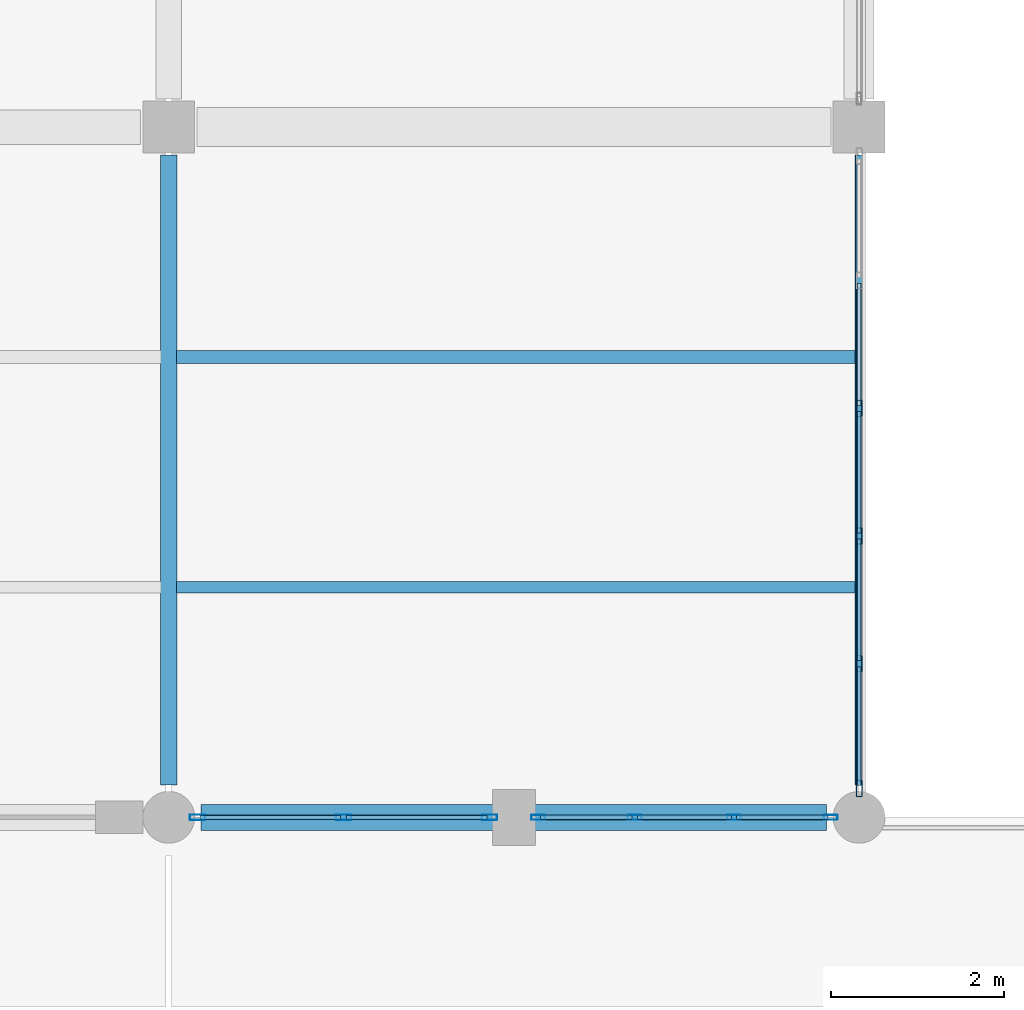
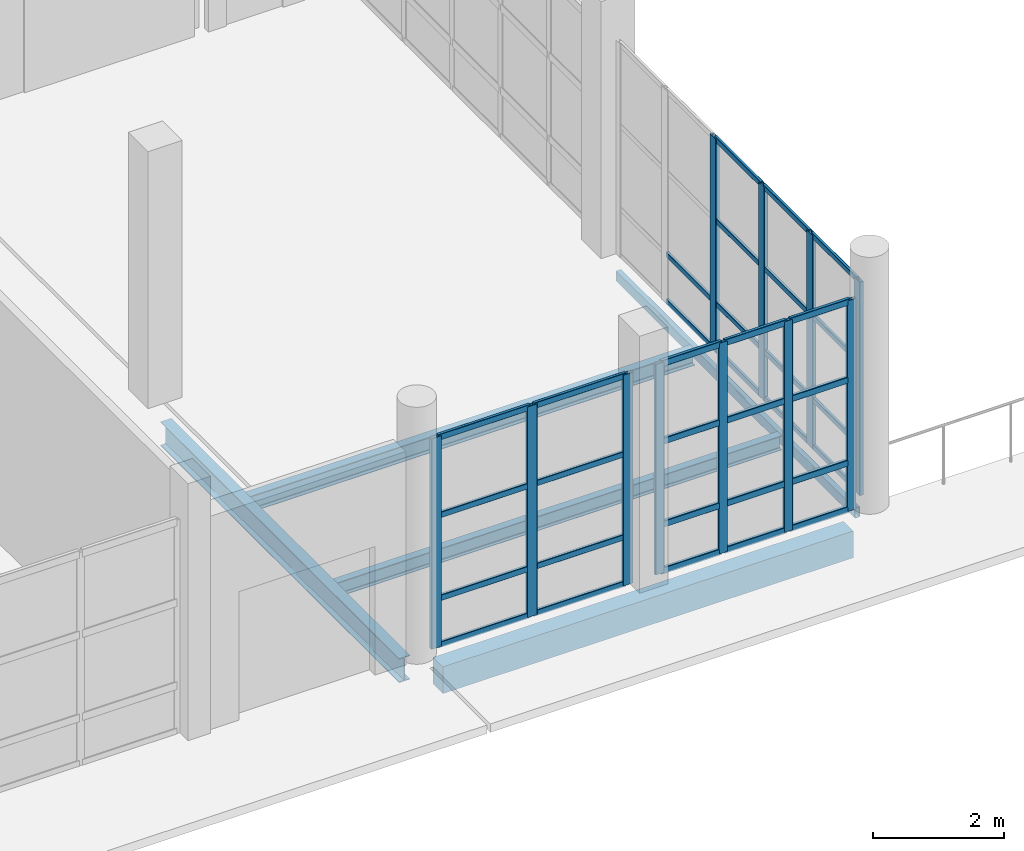
# One storey, part 20 of 156: 45 members, 5 beams, 3 elements without a shape of their own.
"""IFC4 building model written with IfcOpenShell, lengths in metres."""

from ifc_helpers import new_model, si_unit, direction, frame, origin, origin_2d, place, context, subcontext, project, spatial, rectangle, hollow_rectangle, i_section, extrude, material, material_profile, profile_set, type_object, element, aggregate, save


model = new_model("IFC4")

# Units and contexts
model_context = context("Model", 3, precision=1e-05, world=origin(), true_north=direction((0.0, 1.0)))
body_context = subcontext(model_context, "Body", "Model", "MODEL_VIEW")
ifc_project = project(units=[si_unit("LENGTHUNIT", "METRE"), si_unit("AREAUNIT", "SQUARE_METRE"), si_unit("VOLUMEUNIT", "CUBIC_METRE"), si_unit("PLANEANGLEUNIT", "RADIAN"), si_unit("MASSUNIT", "GRAM", prefix="KILO")], contexts=[model_context])

# Site, building, storey
site_placement = place(None, origin())
site = spatial("IfcSite", under=ifc_project, at=site_placement, CompositionType="ELEMENT")
building_placement = place(site_placement, origin())
building = spatial("IfcBuilding", under=site, at=building_placement, Name="Luwemba Playhouse", CompositionType="ELEMENT")
storey_placement = place(building_placement, origin())
storey = spatial("IfcBuildingStorey", under=building, at=storey_placement, Name="L00", CompositionType="ELEMENT", Elevation=0.0)

# Beams
ifc_material_1 = material(Name="Steel S355", Category="steel")
ifc_material_profile_1 = material_profile(ifc_material_1, i_section(OverallWidth=0.18994140625, OverallDepth=0.449951171875, WebThickness=0.009521484375, FlangeThickness=0.0146484375, FilletRadius=0.02099609375, at=origin_2d()))
ifc_profile_set_1 = profile_set([ifc_material_profile_1], Name="Steel S355")
beam_type_1 = type_object("IfcBeamType", Name="BM-SB06", PredefinedType="BEAM", material=ifc_profile_set_1)
beam_1_placement = place(storey_placement, frame((52.0, 3.375, -0.52490234375), z_axis=(0.0, 1.0, 0.0), x_axis=(-1.0, 0.0, 0.0)))
element("IfcBeam", 1, at=beam_1_placement, inside=storey, type_object=beam_type_1, Name="L00 transverse girder 0196", PredefinedType="BEAM", context=body_context, shape_type="SweptSolid", body=[
    extrude(i_section(OverallWidth=0.18994140625, OverallDepth=0.449951171875, WebThickness=0.009521484375, FlangeThickness=0.0146484375, FilletRadius=0.02099609375, at=origin_2d()), origin(), (0.0, 0.0, 1.0), 7.300048828125),
])
ifc_material_profile_2 = material_profile(ifc_material_1, i_section(OverallWidth=0.135009765625, OverallDepth=0.27001953125, WebThickness=0.006591796875, FlangeThickness=0.01025390625, FilletRadius=0.014892578125, at=origin_2d()))
ifc_profile_set_2 = profile_set([ifc_material_profile_2], Name="Steel S355")
beam_type_2 = type_object("IfcBeamType", Name="BM-SJ04", PredefinedType="JOIST", material=ifc_profile_set_2)
beam_2_placement = place(storey_placement, frame((52.091064453125, 5.666748046875, -0.43505859375), z_axis=(1.0, 0.0, 0.0), x_axis=(0.0, 1.0, 0.0)))
element("IfcBeam", 2, at=beam_2_placement, inside=storey, type_object=beam_type_2, Name="L00 composite floor joist 0150", PredefinedType="JOIST", context=body_context, shape_type="SweptSolid", body=[
    extrude(i_section(OverallWidth=0.135009765625, OverallDepth=0.27001953125, WebThickness=0.006591796875, FlangeThickness=0.01025390625, FilletRadius=0.014892578125, at=origin_2d()), origin(), (0.0, 0.0, 1.0), 7.863037109375),
])
ifc_material_profile_3 = material_profile(ifc_material_1, i_section(OverallWidth=0.14990234375, OverallDepth=0.300048828125, WebThickness=0.007080078125, FlangeThickness=0.0107421875, FilletRadius=0.014892578125, at=origin_2d()))
ifc_profile_set_3 = profile_set([ifc_material_profile_3], Name="Steel S355")
beam_type_3 = type_object("IfcBeamType", Name="BM-SJ05", PredefinedType="JOIST", material=ifc_profile_set_3)
beam_3_placement = place(storey_placement, frame((52.091064453125, 8.333251953125, -0.449951171875), z_axis=(1.0, 0.0, 0.0), x_axis=(0.0, 1.0, 0.0)))
element("IfcBeam", 3, at=beam_3_placement, inside=storey, type_object=beam_type_3, Name="L00 composite floor joist 0151", PredefinedType="JOIST", context=body_context, shape_type="SweptSolid", body=[
    extrude(i_section(OverallWidth=0.14990234375, OverallDepth=0.300048828125, WebThickness=0.007080078125, FlangeThickness=0.0107421875, FilletRadius=0.014892578125, at=origin_2d()), origin(), (0.0, 0.0, 1.0), 7.863037109375),
])
ifc_material_2 = material(Name="Concrete C40/50", Category="concrete")
ifc_material_profile_4 = material_profile(ifc_material_2, rectangle(XDim=0.300048828125, YDim=0.5, at=origin_2d()))
ifc_profile_set_4 = profile_set([ifc_material_profile_4], Name="Concrete C40/50")
beam_type_4 = type_object("IfcBeamType", Name="BM-SP1", PredefinedType="SPANDREL", material=ifc_profile_set_4)
beam_4_placement = place(storey_placement, frame((52.375, 3.0, -0.550048828125), z_axis=(1.0, 0.0, 0.0), x_axis=(0.0, 1.0, 0.0)))
element("IfcBeam", 4, at=beam_4_placement, inside=storey, type_object=beam_type_4, Name="L00 grid girder 0156", PredefinedType="SPANDREL", context=body_context, shape_type="SweptSolid", body=[
    extrude(rectangle(XDim=0.300048828125, YDim=0.5, at=origin_2d()), origin(), (0.0, 0.0, 1.0), 7.25),
])
ifc_material_profile_5 = material_profile(ifc_material_1, hollow_rectangle(XDim=0.10009765625, YDim=0.199951171875, WallThickness=0.008056640625, InnerFilletRadius=0.011962890625, OuterFilletRadius=0.02001953125, at=origin_2d()))
ifc_profile_set_5 = profile_set([ifc_material_profile_5], Name="Steel S355")
beam_type_5 = type_object("IfcBeamType", Name="BM-SSP2", PredefinedType="SPANDREL", material=ifc_profile_set_5)
beam_5_placement = place(storey_placement, frame((60.0, 3.375, -0.39990234375), z_axis=(0.0, 1.0, 0.0), x_axis=(-1.0, 0.0, 0.0)))
element("IfcBeam", 5, at=beam_5_placement, inside=storey, type_object=beam_type_5, Name="L00 transverse girder 0199", PredefinedType="SPANDREL", context=body_context, shape_type="SweptSolid", body=[
    extrude(hollow_rectangle(XDim=0.10009765625, YDim=0.199951171875, WallThickness=0.008056640625, InnerFilletRadius=0.011962890625, OuterFilletRadius=0.02001953125, at=origin_2d()), origin(), (0.0, 0.0, 1.0), 7.300048828125),
])

# Curtain wall, members
ifc_material_3 = material(Name="Solar-control double glazing", Category="glass")
curtain_wall_type_1 = type_object("IfcCurtainWallType", Name="CW-CW39", PredefinedType="USERDEFINED", material=ifc_material_3)
curtain_wall_1_placement = place(storey_placement, origin())
curtain_wall_1 = element("IfcCurtainWall", 6, at=curtain_wall_1_placement, inside=storey, type_object=curtain_wall_type_1, Name="L00 V5W unitised curtain wall 043", ObjectType="UNITISED GLAZING", PredefinedType="USERDEFINED")
ifc_material_4 = material(Name="Aluminium 6063-T6", Category="aluminium")
ifc_material_profile_6 = material_profile(ifc_material_4, hollow_rectangle(XDim=0.06005859375, YDim=0.159912109375, WallThickness=0.00390625, InnerFilletRadius=0.006103515625, OuterFilletRadius=0.010009765625, at=origin_2d()))
ifc_profile_set_6 = profile_set([ifc_material_profile_6], Name="Aluminium 6063-T6")
member_type_1 = type_object("IfcMemberType", Name="CWM-M1", PredefinedType="MULLION", material=ifc_profile_set_6)
member_1_placement = place(storey_placement, frame((59.669921875, 3.0, 0.0), z_axis=(0.0, 0.0, 1.0), x_axis=(0.0, -1.0, 0.0)))
member_1 = element("IfcMember", 7, at=member_1_placement, type_object=member_type_1, Name="CW39 mullion 1", PredefinedType="MULLION", context=body_context, shape_type="SweptSolid", body=[
    extrude(hollow_rectangle(XDim=0.06005859375, YDim=0.159912109375, WallThickness=0.00390625, InnerFilletRadius=0.006103515625, OuterFilletRadius=0.010009765625, at=origin_2d()), origin(), (0.0, 0.0, 1.0), 3.93505859375),
])
member_2_placement = place(storey_placement, frame((58.550048828125, 3.0, 0.0), z_axis=(0.0, 0.0, 1.0), x_axis=(0.0, -1.0, 0.0)))
member_2 = element("IfcMember", 8, at=member_2_placement, type_object=member_type_1, Name="CW39 mullion 2", PredefinedType="MULLION", context=body_context, shape_type="SweptSolid", body=[
    extrude(hollow_rectangle(XDim=0.06005859375, YDim=0.159912109375, WallThickness=0.00390625, InnerFilletRadius=0.006103515625, OuterFilletRadius=0.010009765625, at=origin_2d()), origin(), (0.0, 0.0, 1.0), 3.93505859375),
])
member_3_placement = place(storey_placement, frame((57.39990234375, 3.0, 0.0), z_axis=(0.0, 0.0, 1.0), x_axis=(0.0, -1.0, 0.0)))
member_3 = element("IfcMember", 9, at=member_3_placement, type_object=member_type_1, Name="CW39 mullion 3", PredefinedType="MULLION", context=body_context, shape_type="SweptSolid", body=[
    extrude(hollow_rectangle(XDim=0.06005859375, YDim=0.159912109375, WallThickness=0.00390625, InnerFilletRadius=0.006103515625, OuterFilletRadius=0.010009765625, at=origin_2d()), origin(), (0.0, 0.0, 1.0), 3.93505859375),
])
member_4_placement = place(storey_placement, frame((56.280029296875, 3.0, 0.0), z_axis=(0.0, 0.0, 1.0), x_axis=(0.0, -1.0, 0.0)))
member_4 = element("IfcMember", 10, at=member_4_placement, type_object=member_type_1, Name="CW39 mullion 4", PredefinedType="MULLION", context=body_context, shape_type="SweptSolid", body=[
    extrude(hollow_rectangle(XDim=0.06005859375, YDim=0.159912109375, WallThickness=0.00390625, InnerFilletRadius=0.006103515625, OuterFilletRadius=0.010009765625, at=origin_2d()), origin(), (0.0, 0.0, 1.0), 3.93505859375),
])

curtain_wall_type_2 = type_object("IfcCurtainWallType", Name="CW-CW33", PredefinedType="USERDEFINED", material=ifc_material_3)
curtain_wall_2_placement = place(storey_placement, origin())
curtain_wall_2 = element("IfcCurtainWall", 11, at=curtain_wall_2_placement, inside=storey, type_object=curtain_wall_type_2, Name="L00 V5W unitised curtain wall 044", ObjectType="UNITISED GLAZING", PredefinedType="USERDEFINED")
ifc_material_profile_7 = material_profile(ifc_material_4, hollow_rectangle(XDim=0.06494140625, YDim=0.179931640625, WallThickness=0.00439453125, InnerFilletRadius=0.0068359375, OuterFilletRadius=0.01123046875, at=origin_2d()))
ifc_profile_set_7 = profile_set([ifc_material_profile_7], Name="Aluminium 6063-T6")
member_type_2 = type_object("IfcMemberType", Name="CWM-M2", PredefinedType="MULLION", material=ifc_profile_set_7)
member_5_placement = place(storey_placement, frame((55.717529296875, 3.0, 0.0), z_axis=(0.0, 0.0, 1.0), x_axis=(0.0, -1.0, 0.0)))
member_5 = element("IfcMember", 12, at=member_5_placement, type_object=member_type_2, Name="CW33 mullion 1", PredefinedType="MULLION", context=body_context, shape_type="SweptSolid", body=[
    extrude(hollow_rectangle(XDim=0.06494140625, YDim=0.179931640625, WallThickness=0.00439453125, InnerFilletRadius=0.0068359375, OuterFilletRadius=0.01123046875, at=origin_2d()), origin(), (0.0, 0.0, 1.0), 3.93505859375),
])
member_6_placement = place(storey_placement, frame((54.02490234375, 3.0, 0.0), z_axis=(0.0, 0.0, 1.0), x_axis=(0.0, -1.0, 0.0)))
member_6 = element("IfcMember", 13, at=member_6_placement, type_object=member_type_2, Name="CW33 mullion 2", PredefinedType="MULLION", context=body_context, shape_type="SweptSolid", body=[
    extrude(hollow_rectangle(XDim=0.06494140625, YDim=0.179931640625, WallThickness=0.00439453125, InnerFilletRadius=0.0068359375, OuterFilletRadius=0.01123046875, at=origin_2d()), origin(), (0.0, 0.0, 1.0), 3.93505859375),
])
member_7_placement = place(storey_placement, frame((52.33251953125, 3.0, 0.0), z_axis=(0.0, 0.0, 1.0), x_axis=(0.0, -1.0, 0.0)))
member_7 = element("IfcMember", 14, at=member_7_placement, type_object=member_type_2, Name="CW33 mullion 3", PredefinedType="MULLION", context=body_context, shape_type="SweptSolid", body=[
    extrude(hollow_rectangle(XDim=0.06494140625, YDim=0.179931640625, WallThickness=0.00439453125, InnerFilletRadius=0.0068359375, OuterFilletRadius=0.01123046875, at=origin_2d()), origin(), (0.0, 0.0, 1.0), 3.93505859375),
])

curtain_wall_type_3 = type_object("IfcCurtainWallType", Name="CW-CW38", PredefinedType="USERDEFINED", material=ifc_material_3)
curtain_wall_3_placement = place(storey_placement, origin())
curtain_wall_3 = element("IfcCurtainWall", 15, at=curtain_wall_3_placement, inside=storey, type_object=curtain_wall_type_3, Name="L00 V5W unitised curtain wall 042", ObjectType="UNITISED GLAZING", PredefinedType="USERDEFINED")
ifc_material_profile_8 = material_profile(ifc_material_4, hollow_rectangle(XDim=0.070068359375, YDim=0.18994140625, WallThickness=0.0048828125, InnerFilletRadius=0.007568359375, OuterFilletRadius=0.012451171875, at=origin_2d()))
ifc_profile_set_8 = profile_set([ifc_material_profile_8], Name="Aluminium 6063-T6")
member_type_3 = type_object("IfcMemberType", Name="CWM-M4", PredefinedType="MULLION", material=ifc_profile_set_8)
member_8_placement = place(storey_placement, frame((60.0, 7.739990234375, 0.0), z_axis=(0.0, 0.0, 1.0), x_axis=(1.0, 0.0, 0.0)))
member_8 = element("IfcMember", 16, at=member_8_placement, type_object=member_type_3, Name="CW38 mullion 3", PredefinedType="MULLION", context=body_context, shape_type="SweptSolid", body=[
    extrude(hollow_rectangle(XDim=0.070068359375, YDim=0.18994140625, WallThickness=0.0048828125, InnerFilletRadius=0.007568359375, OuterFilletRadius=0.012451171875, at=origin_2d()), origin(), (0.0, 0.0, 1.0), 3.985107421875),
])
member_9_placement = place(storey_placement, frame((60.0, 6.260009765625, 0.0), z_axis=(0.0, 0.0, 1.0), x_axis=(1.0, 0.0, 0.0)))
member_9 = element("IfcMember", 17, at=member_9_placement, type_object=member_type_3, Name="CW38 mullion 4", PredefinedType="MULLION", context=body_context, shape_type="SweptSolid", body=[
    extrude(hollow_rectangle(XDim=0.070068359375, YDim=0.18994140625, WallThickness=0.0048828125, InnerFilletRadius=0.007568359375, OuterFilletRadius=0.012451171875, at=origin_2d()), origin(), (0.0, 0.0, 1.0), 3.985107421875),
])
member_10_placement = place(storey_placement, frame((60.0, 4.780029296875, 0.0), z_axis=(0.0, 0.0, 1.0), x_axis=(1.0, 0.0, 0.0)))
member_10 = element("IfcMember", 18, at=member_10_placement, type_object=member_type_3, Name="CW38 mullion 5", PredefinedType="MULLION", context=body_context, shape_type="SweptSolid", body=[
    extrude(hollow_rectangle(XDim=0.070068359375, YDim=0.18994140625, WallThickness=0.0048828125, InnerFilletRadius=0.007568359375, OuterFilletRadius=0.012451171875, at=origin_2d()), origin(), (0.0, 0.0, 1.0), 3.985107421875),
])
member_11_placement = place(storey_placement, frame((60.0, 3.3349609375, 0.0), z_axis=(0.0, 0.0, 1.0), x_axis=(1.0, 0.0, 0.0)))
member_11 = element("IfcMember", 19, at=member_11_placement, type_object=member_type_3, Name="CW38 mullion 6", PredefinedType="MULLION", context=body_context, shape_type="SweptSolid", body=[
    extrude(hollow_rectangle(XDim=0.070068359375, YDim=0.18994140625, WallThickness=0.0048828125, InnerFilletRadius=0.007568359375, OuterFilletRadius=0.012451171875, at=origin_2d()), origin(), (0.0, 0.0, 1.0), 3.985107421875),
])

# Member
ifc_material_profile_9 = material_profile(ifc_material_4, hollow_rectangle(XDim=0.06005859375, YDim=0.1201171875, WallThickness=0.00390625, InnerFilletRadius=0.006103515625, OuterFilletRadius=0.010009765625, at=origin_2d()))
ifc_profile_set_9 = profile_set([ifc_material_profile_9], Name="Aluminium 6063-T6")
member_type_4 = type_object("IfcMemberType", Name="CWT-T1", PredefinedType="USERDEFINED", material=ifc_profile_set_9)
member_12_placement = place(storey_placement, frame((59.639892578125, 3.0, 0.030029296875), z_axis=(-1.0, 0.0, 0.0), x_axis=(0.0, -1.0, 0.0)))
member_12 = element("IfcMember", 20, at=member_12_placement, type_object=member_type_4, Name="CW39 transom 1.1", ObjectType="TRANSOM", PredefinedType="USERDEFINED", context=body_context, shape_type="SweptSolid", body=[
    extrude(hollow_rectangle(XDim=0.06005859375, YDim=0.1201171875, WallThickness=0.00390625, InnerFilletRadius=0.006103515625, OuterFilletRadius=0.010009765625, at=origin_2d()), origin(), (0.0, 0.0, 1.0), 1.059814453125),
])

member_13_placement = place(storey_placement, frame((59.639892578125, 3.0, 0.89990234375), z_axis=(-1.0, 0.0, 0.0), x_axis=(0.0, -1.0, 0.0)))
member_13 = element("IfcMember", 21, at=member_13_placement, type_object=member_type_4, Name="CW39 transom 1.2", ObjectType="TRANSOM", PredefinedType="USERDEFINED", context=body_context, shape_type="SweptSolid", body=[
    extrude(hollow_rectangle(XDim=0.06005859375, YDim=0.1201171875, WallThickness=0.00390625, InnerFilletRadius=0.006103515625, OuterFilletRadius=0.010009765625, at=origin_2d()), origin(), (0.0, 0.0, 1.0), 1.059814453125),
])

member_14_placement = place(storey_placement, frame((59.639892578125, 3.0, 2.449951171875), z_axis=(-1.0, 0.0, 0.0), x_axis=(0.0, -1.0, 0.0)))
member_14 = element("IfcMember", 22, at=member_14_placement, type_object=member_type_4, Name="CW39 transom 1.3", ObjectType="TRANSOM", PredefinedType="USERDEFINED", context=body_context, shape_type="SweptSolid", body=[
    extrude(hollow_rectangle(XDim=0.06005859375, YDim=0.1201171875, WallThickness=0.00390625, InnerFilletRadius=0.006103515625, OuterFilletRadius=0.010009765625, at=origin_2d()), origin(), (0.0, 0.0, 1.0), 1.059814453125),
])

member_15_placement = place(storey_placement, frame((59.639892578125, 3.0, 3.905029296875), z_axis=(-1.0, 0.0, 0.0), x_axis=(0.0, -1.0, 0.0)))
member_15 = element("IfcMember", 23, at=member_15_placement, type_object=member_type_4, Name="CW39 transom 1.4", ObjectType="TRANSOM", PredefinedType="USERDEFINED", context=body_context, shape_type="SweptSolid", body=[
    extrude(hollow_rectangle(XDim=0.06005859375, YDim=0.1201171875, WallThickness=0.00390625, InnerFilletRadius=0.006103515625, OuterFilletRadius=0.010009765625, at=origin_2d()), origin(), (0.0, 0.0, 1.0), 1.059814453125),
])

member_16_placement = place(storey_placement, frame((58.52001953125, 3.0, 0.030029296875), z_axis=(-1.0, 0.0, 0.0), x_axis=(0.0, -1.0, 0.0)))
member_16 = element("IfcMember", 24, at=member_16_placement, type_object=member_type_4, Name="CW39 transom 2.1", ObjectType="TRANSOM", PredefinedType="USERDEFINED", context=body_context, shape_type="SweptSolid", body=[
    extrude(hollow_rectangle(XDim=0.06005859375, YDim=0.1201171875, WallThickness=0.00390625, InnerFilletRadius=0.006103515625, OuterFilletRadius=0.010009765625, at=origin_2d()), origin(), (0.0, 0.0, 1.0), 1.090087890625),
])

member_17_placement = place(storey_placement, frame((58.52001953125, 3.0, 0.89990234375), z_axis=(-1.0, 0.0, 0.0), x_axis=(0.0, -1.0, 0.0)))
member_17 = element("IfcMember", 25, at=member_17_placement, type_object=member_type_4, Name="CW39 transom 2.2", ObjectType="TRANSOM", PredefinedType="USERDEFINED", context=body_context, shape_type="SweptSolid", body=[
    extrude(hollow_rectangle(XDim=0.06005859375, YDim=0.1201171875, WallThickness=0.00390625, InnerFilletRadius=0.006103515625, OuterFilletRadius=0.010009765625, at=origin_2d()), origin(), (0.0, 0.0, 1.0), 1.090087890625),
])

member_18_placement = place(storey_placement, frame((58.52001953125, 3.0, 2.449951171875), z_axis=(-1.0, 0.0, 0.0), x_axis=(0.0, -1.0, 0.0)))
member_18 = element("IfcMember", 26, at=member_18_placement, type_object=member_type_4, Name="CW39 transom 2.3", ObjectType="TRANSOM", PredefinedType="USERDEFINED", context=body_context, shape_type="SweptSolid", body=[
    extrude(hollow_rectangle(XDim=0.06005859375, YDim=0.1201171875, WallThickness=0.00390625, InnerFilletRadius=0.006103515625, OuterFilletRadius=0.010009765625, at=origin_2d()), origin(), (0.0, 0.0, 1.0), 1.090087890625),
])

member_19_placement = place(storey_placement, frame((58.52001953125, 3.0, 3.905029296875), z_axis=(-1.0, 0.0, 0.0), x_axis=(0.0, -1.0, 0.0)))
member_19 = element("IfcMember", 27, at=member_19_placement, type_object=member_type_4, Name="CW39 transom 2.4", ObjectType="TRANSOM", PredefinedType="USERDEFINED", context=body_context, shape_type="SweptSolid", body=[
    extrude(hollow_rectangle(XDim=0.06005859375, YDim=0.1201171875, WallThickness=0.00390625, InnerFilletRadius=0.006103515625, OuterFilletRadius=0.010009765625, at=origin_2d()), origin(), (0.0, 0.0, 1.0), 1.090087890625),
])

member_20_placement = place(storey_placement, frame((57.3701171875, 3.0, 0.030029296875), z_axis=(-1.0, 0.0, 0.0), x_axis=(0.0, -1.0, 0.0)))
member_20 = element("IfcMember", 28, at=member_20_placement, type_object=member_type_4, Name="CW39 transom 3.1", ObjectType="TRANSOM", PredefinedType="USERDEFINED", context=body_context, shape_type="SweptSolid", body=[
    extrude(hollow_rectangle(XDim=0.06005859375, YDim=0.1201171875, WallThickness=0.00390625, InnerFilletRadius=0.006103515625, OuterFilletRadius=0.010009765625, at=origin_2d()), origin(), (0.0, 0.0, 1.0), 1.06005859375),
])

member_21_placement = place(storey_placement, frame((57.3701171875, 3.0, 0.89990234375), z_axis=(-1.0, 0.0, 0.0), x_axis=(0.0, -1.0, 0.0)))
member_21 = element("IfcMember", 29, at=member_21_placement, type_object=member_type_4, Name="CW39 transom 3.2", ObjectType="TRANSOM", PredefinedType="USERDEFINED", context=body_context, shape_type="SweptSolid", body=[
    extrude(hollow_rectangle(XDim=0.06005859375, YDim=0.1201171875, WallThickness=0.00390625, InnerFilletRadius=0.006103515625, OuterFilletRadius=0.010009765625, at=origin_2d()), origin(), (0.0, 0.0, 1.0), 1.06005859375),
])

member_22_placement = place(storey_placement, frame((57.3701171875, 3.0, 2.449951171875), z_axis=(-1.0, 0.0, 0.0), x_axis=(0.0, -1.0, 0.0)))
member_22 = element("IfcMember", 30, at=member_22_placement, type_object=member_type_4, Name="CW39 transom 3.3", ObjectType="TRANSOM", PredefinedType="USERDEFINED", context=body_context, shape_type="SweptSolid", body=[
    extrude(hollow_rectangle(XDim=0.06005859375, YDim=0.1201171875, WallThickness=0.00390625, InnerFilletRadius=0.006103515625, OuterFilletRadius=0.010009765625, at=origin_2d()), origin(), (0.0, 0.0, 1.0), 1.06005859375),
])

member_23_placement = place(storey_placement, frame((57.3701171875, 3.0, 3.905029296875), z_axis=(-1.0, 0.0, 0.0), x_axis=(0.0, -1.0, 0.0)))
member_23 = element("IfcMember", 31, at=member_23_placement, type_object=member_type_4, Name="CW39 transom 3.4", ObjectType="TRANSOM", PredefinedType="USERDEFINED", context=body_context, shape_type="SweptSolid", body=[
    extrude(hollow_rectangle(XDim=0.06005859375, YDim=0.1201171875, WallThickness=0.00390625, InnerFilletRadius=0.006103515625, OuterFilletRadius=0.010009765625, at=origin_2d()), origin(), (0.0, 0.0, 1.0), 1.06005859375),
])

aggregate(curtain_wall_1, [member_1, member_2, member_3, member_4, member_12, member_13, member_14, member_15, member_16, member_17, member_18, member_19, member_20, member_21, member_22, member_23])

ifc_material_profile_10 = material_profile(ifc_material_4, hollow_rectangle(XDim=0.054931640625, YDim=0.110107421875, WallThickness=0.00341796875, InnerFilletRadius=0.00537109375, OuterFilletRadius=0.0087890625, at=origin_2d()))
ifc_profile_set_10 = profile_set([ifc_material_profile_10], Name="Aluminium 6063-T6")
member_type_5 = type_object("IfcMemberType", Name="CWT-T2", PredefinedType="USERDEFINED", material=ifc_profile_set_10)
member_24_placement = place(storey_placement, frame((55.68505859375, 3.0, 0.027587890625), z_axis=(-1.0, 0.0, 0.0), x_axis=(0.0, -1.0, 0.0)))
member_24 = element("IfcMember", 32, at=member_24_placement, type_object=member_type_5, Name="CW33 transom 1.1", ObjectType="TRANSOM", PredefinedType="USERDEFINED", context=body_context, shape_type="SweptSolid", body=[
    extrude(hollow_rectangle(XDim=0.054931640625, YDim=0.110107421875, WallThickness=0.00341796875, InnerFilletRadius=0.00537109375, OuterFilletRadius=0.0087890625, at=origin_2d()), origin(), (0.0, 0.0, 1.0), 1.62744140625),
])

member_25_placement = place(storey_placement, frame((55.68505859375, 3.0, 0.89990234375), z_axis=(-1.0, 0.0, 0.0), x_axis=(0.0, -1.0, 0.0)))
member_25 = element("IfcMember", 33, at=member_25_placement, type_object=member_type_5, Name="CW33 transom 1.2", ObjectType="TRANSOM", PredefinedType="USERDEFINED", context=body_context, shape_type="SweptSolid", body=[
    extrude(hollow_rectangle(XDim=0.054931640625, YDim=0.110107421875, WallThickness=0.00341796875, InnerFilletRadius=0.00537109375, OuterFilletRadius=0.0087890625, at=origin_2d()), origin(), (0.0, 0.0, 1.0), 1.62744140625),
])

member_26_placement = place(storey_placement, frame((55.68505859375, 3.0, 2.449951171875), z_axis=(-1.0, 0.0, 0.0), x_axis=(0.0, -1.0, 0.0)))
member_26 = element("IfcMember", 34, at=member_26_placement, type_object=member_type_5, Name="CW33 transom 1.3", ObjectType="TRANSOM", PredefinedType="USERDEFINED", context=body_context, shape_type="SweptSolid", body=[
    extrude(hollow_rectangle(XDim=0.054931640625, YDim=0.110107421875, WallThickness=0.00341796875, InnerFilletRadius=0.00537109375, OuterFilletRadius=0.0087890625, at=origin_2d()), origin(), (0.0, 0.0, 1.0), 1.62744140625),
])

member_27_placement = place(storey_placement, frame((55.68505859375, 3.0, 3.907470703125), z_axis=(-1.0, 0.0, 0.0), x_axis=(0.0, -1.0, 0.0)))
member_27 = element("IfcMember", 35, at=member_27_placement, type_object=member_type_5, Name="CW33 transom 1.4", ObjectType="TRANSOM", PredefinedType="USERDEFINED", context=body_context, shape_type="SweptSolid", body=[
    extrude(hollow_rectangle(XDim=0.054931640625, YDim=0.110107421875, WallThickness=0.00341796875, InnerFilletRadius=0.00537109375, OuterFilletRadius=0.0087890625, at=origin_2d()), origin(), (0.0, 0.0, 1.0), 1.62744140625),
])

member_28_placement = place(storey_placement, frame((53.992431640625, 3.0, 0.027587890625), z_axis=(-1.0, 0.0, 0.0), x_axis=(0.0, -1.0, 0.0)))
member_28 = element("IfcMember", 36, at=member_28_placement, type_object=member_type_5, Name="CW33 transom 2.1", ObjectType="TRANSOM", PredefinedType="USERDEFINED", context=body_context, shape_type="SweptSolid", body=[
    extrude(hollow_rectangle(XDim=0.054931640625, YDim=0.110107421875, WallThickness=0.00341796875, InnerFilletRadius=0.00537109375, OuterFilletRadius=0.0087890625, at=origin_2d()), origin(), (0.0, 0.0, 1.0), 1.62744140625),
])

member_29_placement = place(storey_placement, frame((53.992431640625, 3.0, 0.89990234375), z_axis=(-1.0, 0.0, 0.0), x_axis=(0.0, -1.0, 0.0)))
member_29 = element("IfcMember", 37, at=member_29_placement, type_object=member_type_5, Name="CW33 transom 2.2", ObjectType="TRANSOM", PredefinedType="USERDEFINED", context=body_context, shape_type="SweptSolid", body=[
    extrude(hollow_rectangle(XDim=0.054931640625, YDim=0.110107421875, WallThickness=0.00341796875, InnerFilletRadius=0.00537109375, OuterFilletRadius=0.0087890625, at=origin_2d()), origin(), (0.0, 0.0, 1.0), 1.62744140625),
])

member_30_placement = place(storey_placement, frame((53.992431640625, 3.0, 2.449951171875), z_axis=(-1.0, 0.0, 0.0), x_axis=(0.0, -1.0, 0.0)))
member_30 = element("IfcMember", 38, at=member_30_placement, type_object=member_type_5, Name="CW33 transom 2.3", ObjectType="TRANSOM", PredefinedType="USERDEFINED", context=body_context, shape_type="SweptSolid", body=[
    extrude(hollow_rectangle(XDim=0.054931640625, YDim=0.110107421875, WallThickness=0.00341796875, InnerFilletRadius=0.00537109375, OuterFilletRadius=0.0087890625, at=origin_2d()), origin(), (0.0, 0.0, 1.0), 1.62744140625),
])

member_31_placement = place(storey_placement, frame((53.992431640625, 3.0, 3.907470703125), z_axis=(-1.0, 0.0, 0.0), x_axis=(0.0, -1.0, 0.0)))
member_31 = element("IfcMember", 39, at=member_31_placement, type_object=member_type_5, Name="CW33 transom 2.4", ObjectType="TRANSOM", PredefinedType="USERDEFINED", context=body_context, shape_type="SweptSolid", body=[
    extrude(hollow_rectangle(XDim=0.054931640625, YDim=0.110107421875, WallThickness=0.00341796875, InnerFilletRadius=0.00537109375, OuterFilletRadius=0.0087890625, at=origin_2d()), origin(), (0.0, 0.0, 1.0), 1.62744140625),
])

aggregate(curtain_wall_2, [member_5, member_6, member_7, member_24, member_25, member_26, member_27, member_28, member_29, member_30, member_31])

ifc_material_profile_11 = material_profile(ifc_material_4, hollow_rectangle(XDim=0.050048828125, YDim=0.10009765625, WallThickness=0.00341796875, InnerFilletRadius=0.00537109375, OuterFilletRadius=0.0087890625, at=origin_2d()))
ifc_profile_set_11 = profile_set([ifc_material_profile_11], Name="Aluminium 6063-T6")
member_type_6 = type_object("IfcMemberType", Name="CWT-T4", PredefinedType="USERDEFINED", material=ifc_profile_set_11)
member_32_placement = place(storey_placement, frame((60.0, 9.18505859375, 0.02490234375), z_axis=(0.0, -1.0, 0.0), x_axis=(1.0, 0.0, 0.0)))
member_32 = element("IfcMember", 40, at=member_32_placement, type_object=member_type_6, Name="CW38 transom 2.1", ObjectType="TRANSOM", PredefinedType="USERDEFINED", context=body_context, shape_type="SweptSolid", body=[
    extrude(hollow_rectangle(XDim=0.050048828125, YDim=0.10009765625, WallThickness=0.00341796875, InnerFilletRadius=0.00537109375, OuterFilletRadius=0.0087890625, at=origin_2d()), origin(), (0.0, 0.0, 1.0), 1.41015625),
])

member_33_placement = place(storey_placement, frame((60.0, 9.18505859375, 0.89990234375), z_axis=(0.0, -1.0, 0.0), x_axis=(1.0, 0.0, 0.0)))
member_33 = element("IfcMember", 41, at=member_33_placement, type_object=member_type_6, Name="CW38 transom 2.2", ObjectType="TRANSOM", PredefinedType="USERDEFINED", context=body_context, shape_type="SweptSolid", body=[
    extrude(hollow_rectangle(XDim=0.050048828125, YDim=0.10009765625, WallThickness=0.00341796875, InnerFilletRadius=0.00537109375, OuterFilletRadius=0.0087890625, at=origin_2d()), origin(), (0.0, 0.0, 1.0), 1.41015625),
])

member_34_placement = place(storey_placement, frame((60.0, 7.705078125, 0.02490234375), z_axis=(0.0, -1.0, 0.0), x_axis=(1.0, 0.0, 0.0)))
member_34 = element("IfcMember", 42, at=member_34_placement, type_object=member_type_6, Name="CW38 transom 3.1", ObjectType="TRANSOM", PredefinedType="USERDEFINED", context=body_context, shape_type="SweptSolid", body=[
    extrude(hollow_rectangle(XDim=0.050048828125, YDim=0.10009765625, WallThickness=0.00341796875, InnerFilletRadius=0.00537109375, OuterFilletRadius=0.0087890625, at=origin_2d()), origin(), (0.0, 0.0, 1.0), 1.41015625),
])

member_35_placement = place(storey_placement, frame((60.0, 7.705078125, 0.89990234375), z_axis=(0.0, -1.0, 0.0), x_axis=(1.0, 0.0, 0.0)))
member_35 = element("IfcMember", 43, at=member_35_placement, type_object=member_type_6, Name="CW38 transom 3.2", ObjectType="TRANSOM", PredefinedType="USERDEFINED", context=body_context, shape_type="SweptSolid", body=[
    extrude(hollow_rectangle(XDim=0.050048828125, YDim=0.10009765625, WallThickness=0.00341796875, InnerFilletRadius=0.00537109375, OuterFilletRadius=0.0087890625, at=origin_2d()), origin(), (0.0, 0.0, 1.0), 1.41015625),
])

member_36_placement = place(storey_placement, frame((60.0, 7.705078125, 2.449951171875), z_axis=(0.0, -1.0, 0.0), x_axis=(1.0, 0.0, 0.0)))
member_36 = element("IfcMember", 44, at=member_36_placement, type_object=member_type_6, Name="CW38 transom 3.3", ObjectType="TRANSOM", PredefinedType="USERDEFINED", context=body_context, shape_type="SweptSolid", body=[
    extrude(hollow_rectangle(XDim=0.050048828125, YDim=0.10009765625, WallThickness=0.00341796875, InnerFilletRadius=0.00537109375, OuterFilletRadius=0.0087890625, at=origin_2d()), origin(), (0.0, 0.0, 1.0), 1.41015625),
])

member_37_placement = place(storey_placement, frame((60.0, 7.705078125, 3.9599609375), z_axis=(0.0, -1.0, 0.0), x_axis=(1.0, 0.0, 0.0)))
member_37 = element("IfcMember", 45, at=member_37_placement, type_object=member_type_6, Name="CW38 transom 3.4", ObjectType="TRANSOM", PredefinedType="USERDEFINED", context=body_context, shape_type="SweptSolid", body=[
    extrude(hollow_rectangle(XDim=0.050048828125, YDim=0.10009765625, WallThickness=0.00341796875, InnerFilletRadius=0.00537109375, OuterFilletRadius=0.0087890625, at=origin_2d()), origin(), (0.0, 0.0, 1.0), 1.41015625),
])

member_38_placement = place(storey_placement, frame((60.0, 6.22509765625, 0.02490234375), z_axis=(0.0, -1.0, 0.0), x_axis=(1.0, 0.0, 0.0)))
member_38 = element("IfcMember", 46, at=member_38_placement, type_object=member_type_6, Name="CW38 transom 4.1", ObjectType="TRANSOM", PredefinedType="USERDEFINED", context=body_context, shape_type="SweptSolid", body=[
    extrude(hollow_rectangle(XDim=0.050048828125, YDim=0.10009765625, WallThickness=0.00341796875, InnerFilletRadius=0.00537109375, OuterFilletRadius=0.0087890625, at=origin_2d()), origin(), (0.0, 0.0, 1.0), 1.41015625),
])

member_39_placement = place(storey_placement, frame((60.0, 6.22509765625, 0.89990234375), z_axis=(0.0, -1.0, 0.0), x_axis=(1.0, 0.0, 0.0)))
member_39 = element("IfcMember", 47, at=member_39_placement, type_object=member_type_6, Name="CW38 transom 4.2", ObjectType="TRANSOM", PredefinedType="USERDEFINED", context=body_context, shape_type="SweptSolid", body=[
    extrude(hollow_rectangle(XDim=0.050048828125, YDim=0.10009765625, WallThickness=0.00341796875, InnerFilletRadius=0.00537109375, OuterFilletRadius=0.0087890625, at=origin_2d()), origin(), (0.0, 0.0, 1.0), 1.41015625),
])

member_40_placement = place(storey_placement, frame((60.0, 6.22509765625, 2.449951171875), z_axis=(0.0, -1.0, 0.0), x_axis=(1.0, 0.0, 0.0)))
member_40 = element("IfcMember", 48, at=member_40_placement, type_object=member_type_6, Name="CW38 transom 4.3", ObjectType="TRANSOM", PredefinedType="USERDEFINED", context=body_context, shape_type="SweptSolid", body=[
    extrude(hollow_rectangle(XDim=0.050048828125, YDim=0.10009765625, WallThickness=0.00341796875, InnerFilletRadius=0.00537109375, OuterFilletRadius=0.0087890625, at=origin_2d()), origin(), (0.0, 0.0, 1.0), 1.41015625),
])

member_41_placement = place(storey_placement, frame((60.0, 6.22509765625, 3.9599609375), z_axis=(0.0, -1.0, 0.0), x_axis=(1.0, 0.0, 0.0)))
member_41 = element("IfcMember", 49, at=member_41_placement, type_object=member_type_6, Name="CW38 transom 4.4", ObjectType="TRANSOM", PredefinedType="USERDEFINED", context=body_context, shape_type="SweptSolid", body=[
    extrude(hollow_rectangle(XDim=0.050048828125, YDim=0.10009765625, WallThickness=0.00341796875, InnerFilletRadius=0.00537109375, OuterFilletRadius=0.0087890625, at=origin_2d()), origin(), (0.0, 0.0, 1.0), 1.41015625),
])

member_42_placement = place(storey_placement, frame((60.0, 4.7451171875, 0.02490234375), z_axis=(0.0, -1.0, 0.0), x_axis=(1.0, 0.0, 0.0)))
member_42 = element("IfcMember", 50, at=member_42_placement, type_object=member_type_6, Name="CW38 transom 5.1", ObjectType="TRANSOM", PredefinedType="USERDEFINED", context=body_context, shape_type="SweptSolid", body=[
    extrude(hollow_rectangle(XDim=0.050048828125, YDim=0.10009765625, WallThickness=0.00341796875, InnerFilletRadius=0.00537109375, OuterFilletRadius=0.0087890625, at=origin_2d()), origin(), (0.0, 0.0, 1.0), 1.375),
])

member_43_placement = place(storey_placement, frame((60.0, 4.7451171875, 0.89990234375), z_axis=(0.0, -1.0, 0.0), x_axis=(1.0, 0.0, 0.0)))
member_43 = element("IfcMember", 51, at=member_43_placement, type_object=member_type_6, Name="CW38 transom 5.2", ObjectType="TRANSOM", PredefinedType="USERDEFINED", context=body_context, shape_type="SweptSolid", body=[
    extrude(hollow_rectangle(XDim=0.050048828125, YDim=0.10009765625, WallThickness=0.00341796875, InnerFilletRadius=0.00537109375, OuterFilletRadius=0.0087890625, at=origin_2d()), origin(), (0.0, 0.0, 1.0), 1.375),
])

member_44_placement = place(storey_placement, frame((60.0, 4.7451171875, 2.449951171875), z_axis=(0.0, -1.0, 0.0), x_axis=(1.0, 0.0, 0.0)))
member_44 = element("IfcMember", 52, at=member_44_placement, type_object=member_type_6, Name="CW38 transom 5.3", ObjectType="TRANSOM", PredefinedType="USERDEFINED", context=body_context, shape_type="SweptSolid", body=[
    extrude(hollow_rectangle(XDim=0.050048828125, YDim=0.10009765625, WallThickness=0.00341796875, InnerFilletRadius=0.00537109375, OuterFilletRadius=0.0087890625, at=origin_2d()), origin(), (0.0, 0.0, 1.0), 1.375),
])

member_45_placement = place(storey_placement, frame((60.0, 4.7451171875, 3.9599609375), z_axis=(0.0, -1.0, 0.0), x_axis=(1.0, 0.0, 0.0)))
member_45 = element("IfcMember", 53, at=member_45_placement, type_object=member_type_6, Name="CW38 transom 5.4", ObjectType="TRANSOM", PredefinedType="USERDEFINED", context=body_context, shape_type="SweptSolid", body=[
    extrude(hollow_rectangle(XDim=0.050048828125, YDim=0.10009765625, WallThickness=0.00341796875, InnerFilletRadius=0.00537109375, OuterFilletRadius=0.0087890625, at=origin_2d()), origin(), (0.0, 0.0, 1.0), 1.375),
])

aggregate(curtain_wall_3, [member_8, member_9, member_10, member_11, member_32, member_33, member_34, member_35, member_36, member_37, member_38, member_39, member_40, member_41, member_42, member_43, member_44, member_45])

save(model, "model.ifc")
